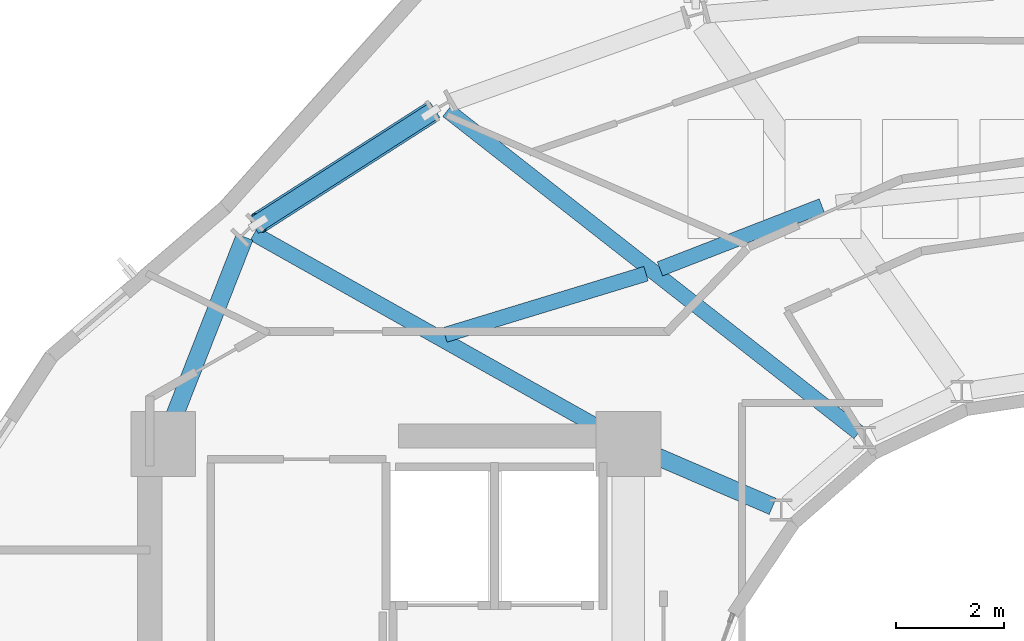
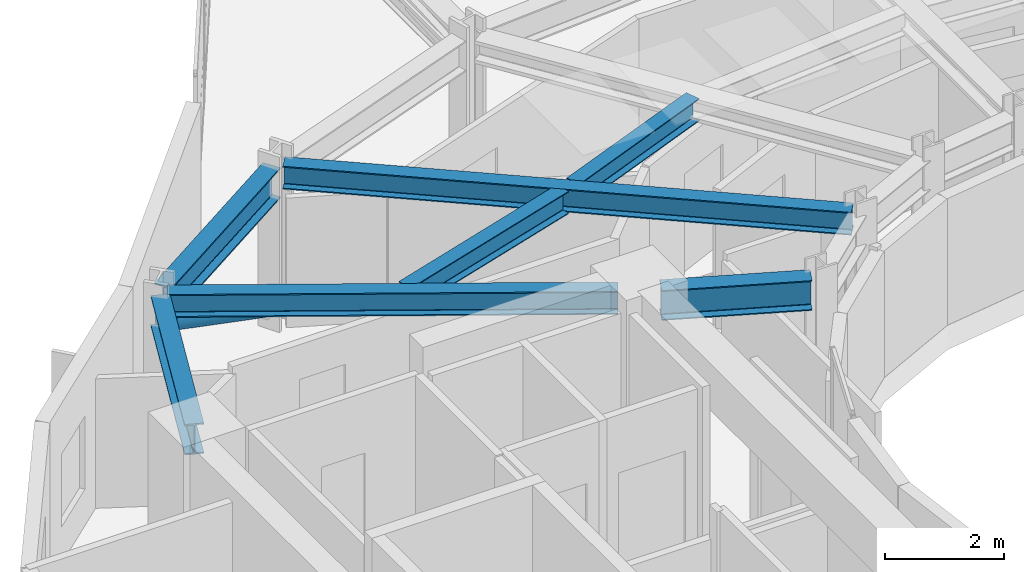
# One storey, part 8 of 25: 7 beams, 1 member.
"""IFC4 building model written with IfcOpenShell, lengths in metres."""

from ifc_helpers import new_model, si_unit, direction, frame, origin, origin_2d, place, context, subcontext, project, spatial, hollow_circle, i_section, extrude, material, material_profile, profile_set, type_object, element, save


model = new_model("IFC4")

# Units and contexts
model_context = context("Model", 3, precision=1e-05, world=origin(), true_north=direction((0.0, 1.0)))
body_context = subcontext(model_context, "Body", "Model", "MODEL_VIEW")
ifc_project = project(units=[si_unit("LENGTHUNIT", "METRE"), si_unit("AREAUNIT", "SQUARE_METRE"), si_unit("VOLUMEUNIT", "CUBIC_METRE"), si_unit("PLANEANGLEUNIT", "RADIAN"), si_unit("MASSUNIT", "GRAM", prefix="KILO")], contexts=[model_context])

# Site, building, storey
site_placement = place(None, origin())
site = spatial("IfcSite", under=ifc_project, at=site_placement, CompositionType="ELEMENT")
building_placement = place(site_placement, origin())
building = spatial("IfcBuilding", under=site, at=building_placement, Name="Solvane Sanctuary Tower", CompositionType="ELEMENT")
storey_placement = place(building_placement, frame((0.0, 0.0, 238.800048828125)))
storey = spatial("IfcBuildingStorey", under=building, at=storey_placement, Name="L73", CompositionType="ELEMENT", Elevation=238.800048828125)

# Beams
ifc_material = material(Name="Steel ASTM A992 Grade 50", Category="steel")
ifc_material_profile_1 = material_profile(ifc_material, i_section(OverallWidth=0.282958984375, OverallDepth=0.471923828125, WebThickness=0.013671875, FlangeThickness=0.022216796875, FilletRadius=0.013916015625, at=origin_2d()), Name="W18X97")
ifc_profile_set_1 = profile_set([ifc_material_profile_1], Name="Steel ASTM A992 Grade 50")
beam_type_1 = type_object("IfcBeamType", Name="Beam B-RAD-Z4 W18X97", PredefinedType="JOIST", material=ifc_profile_set_1)
beam_1_placement = place(storey_placement, frame((28.159912109375, 30.412841796875, 3.08203125), z_axis=(-0.787179592087, 0.616723835927, 0.0), x_axis=(-0.616723835927, -0.787179592087, 0.0)))
element("IfcBeam", 1, at=beam_1_placement, inside=storey, type_object=beam_type_1, Name="L73 Radial Composite Floor Beam 06", PredefinedType="JOIST", context=body_context, shape_type="SweptSolid", body=[
    extrude(i_section(OverallWidth=0.282958984375, OverallDepth=0.471923828125, WebThickness=0.013671875, FlangeThickness=0.022216796875, FilletRadius=0.013916015625, at=origin_2d()), origin(), (0.0, 0.0, 1.0), 9.66064453125),
])
beam_2_placement = place(storey_placement, frame((23.586181640625, 30.37646484375, 3.08203125), z_axis=(-0.87176037811, 0.489932488367, 0.0), x_axis=(-0.489932488367, -0.87176037811, 0.0)))
element("IfcBeam", 2, at=beam_2_placement, inside=storey, type_object=beam_type_1, Name="L73 Radial Composite Floor Beam 07", PredefinedType="JOIST", context=body_context, shape_type="SweptSolid", body=[
    extrude(i_section(OverallWidth=0.282958984375, OverallDepth=0.471923828125, WebThickness=0.013671875, FlangeThickness=0.022216796875, FilletRadius=0.013916015625, at=origin_2d()), origin(), (0.0, 0.0, 1.0), 7.581298828125),
])
ifc_material_profile_2 = material_profile(ifc_material, i_section(OverallWidth=0.324951171875, OverallDepth=0.615966796875, WebThickness=0.013916015625, FlangeThickness=0.021484375, FilletRadius=0.01611328125, at=origin_2d()), Name="W24X117")
ifc_profile_set_2 = profile_set([ifc_material_profile_2], Name="Steel ASTM A992 Grade 50")
beam_type_2 = type_object("IfcBeamType", Name="Beam B-RING-IN2 W24X117", PredefinedType="BEAM", material=ifc_profile_set_2)
beam_3_placement = place(storey_placement, frame((24.230712890625, 30.0576171875, 3.010009765625), z_axis=(0.918254967668, -0.395989664453, 0.0), x_axis=(0.395989664453, 0.918254967668, 0.0)))
element("IfcBeam", 3, at=beam_3_placement, inside=storey, type_object=beam_type_2, Name="L73 Inner Light-Well Ring Beam CW3-IC07", PredefinedType="BEAM", context=body_context, shape_type="SweptSolid", body=[
    extrude(i_section(OverallWidth=0.324951171875, OverallDepth=0.615966796875, WebThickness=0.013916015625, FlangeThickness=0.021484375, FilletRadius=0.01611328125, at=origin_2d()), origin(), (0.0, 0.0, 1.0), 2.54638671875),
])
ifc_material_profile_3 = material_profile(ifc_material, i_section(OverallWidth=0.280029296875, OverallDepth=0.462890625, WebThickness=0.0107421875, FlangeThickness=0.017333984375, FilletRadius=0.013916015625, at=origin_2d()), Name="W18X76")
ifc_profile_set_3 = profile_set([ifc_material_profile_3], Name="Steel ASTM A992 Grade 50")
beam_type_3 = type_object("IfcBeamType", Name="Beam B-SEC-JOIST W18X76", PredefinedType="JOIST", material=ifc_profile_set_3)
beam_4_placement = place(storey_placement, frame((20.508056640625, 32.219482421875, 3.08642578125), z_axis=(0.95661833979, 0.291344044005, 0.0), x_axis=(-0.291344044005, 0.95661833979, 0.0)))
element("IfcBeam", 4, at=beam_4_placement, inside=storey, type_object=beam_type_3, Name="L73 Secondary Circumferential Joist 07-06", PredefinedType="JOIST", context=body_context, shape_type="SweptSolid", body=[
    extrude(i_section(OverallWidth=0.280029296875, OverallDepth=0.462890625, WebThickness=0.0107421875, FlangeThickness=0.017333984375, FilletRadius=0.013916015625, at=origin_2d()), origin(), (0.0, 0.0, 1.0), 3.887451171875),
])
beam_5_placement = place(storey_placement, frame((24.484619140625, 33.44140625, 3.08642578125), z_axis=(0.93205885038, 0.362306913306, 0.0), x_axis=(-0.362306913306, 0.93205885038, 0.0)))
element("IfcBeam", 5, at=beam_5_placement, inside=storey, type_object=beam_type_3, Name="L73 Secondary Circumferential Joist 06-05", PredefinedType="JOIST", context=body_context, shape_type="SweptSolid", body=[
    extrude(i_section(OverallWidth=0.280029296875, OverallDepth=0.462890625, WebThickness=0.0107421875, FlangeThickness=0.017333984375, FilletRadius=0.013916015625, at=origin_2d()), origin(), (0.0, 0.0, 1.0), 3.212890625),
])
ifc_material_profile_4 = material_profile(ifc_material, i_section(OverallWidth=0.327880859375, OverallDepth=0.6279296875, WebThickness=0.0166015625, FlangeThickness=0.027587890625, FilletRadius=0.01611328125, at=origin_2d()), Name="W24X146")
ifc_profile_set_4 = profile_set([ifc_material_profile_4], Name="Steel ASTM A992 Grade 50")
beam_type_4 = type_object("IfcBeamType", Name="Beam B-SPAND-Z3 W24X146", PredefinedType="SPANDREL", material=ifc_profile_set_4)
beam_6_placement = place(storey_placement, frame((15.40234375, 30.460693359375, 3.00390625), z_axis=(0.365597204344, 0.930773164727, 0.0), x_axis=(-0.930773164727, 0.365597204344, 0.0)))
element("IfcBeam", 6, at=beam_6_placement, inside=storey, type_object=beam_type_4, Name="L73 Perimeter Spandrel Beam CW4-TC07", PredefinedType="SPANDREL", context=body_context, shape_type="SweptSolid", body=[
    extrude(i_section(OverallWidth=0.327880859375, OverallDepth=0.6279296875, WebThickness=0.0166015625, FlangeThickness=0.027587890625, FilletRadius=0.01611328125, at=origin_2d()), origin(), (0.0, 0.0, 1.0), 3.833740234375),
])
beam_7_placement = place(storey_placement, frame((16.972900390625, 34.23486328125, 3.00390625), z_axis=(0.842252471835, 0.539083271571, 0.0), x_axis=(-0.539083271571, 0.842252471835, 0.0)))
element("IfcBeam", 7, at=beam_7_placement, inside=storey, type_object=beam_type_4, Name="L73 Perimeter Spandrel Beam TC07-TC06", PredefinedType="SPANDREL", context=body_context, shape_type="SweptSolid", body=[
    extrude(i_section(OverallWidth=0.327880859375, OverallDepth=0.6279296875, WebThickness=0.0166015625, FlangeThickness=0.027587890625, FilletRadius=0.01611328125, at=origin_2d()), origin(), (0.0, 0.0, 1.0), 3.982177734375),
])

# Member
ifc_material_profile_5 = material_profile(ifc_material, hollow_circle(Radius=0.202880859375, WallThickness=0.012451171875, at=origin_2d()), Name="CHS406X12.5")
ifc_profile_set_5 = profile_set([ifc_material_profile_5], Name="Steel ASTM A992 Grade 50")
member_type = type_object("IfcMemberType", Name="Member M-TUBE-Z3 CHS406X12.5", PredefinedType="BRACE", material=ifc_profile_set_5)
member_placement = place(storey_placement, frame((20.241455078125, 36.326904296875, 0.5107421875), z_axis=(-0.740476313264, -0.473952616824, 0.476512063332), x_axis=(0.539092247698, -0.842246726602, 0.0)))
element("IfcMember", 8, at=member_placement, inside=storey, type_object=member_type, Name="L73 Perimeter Braced-Tube Diagonal NW", PredefinedType="BRACE", context=body_context, shape_type="SweptSolid", body=[
    extrude(hollow_circle(Radius=0.202880859375, WallThickness=0.012451171875, at=origin_2d()), origin(), (0.0, 0.0, 1.0), 4.29248046875),
])

save(model, "model.ifc")
